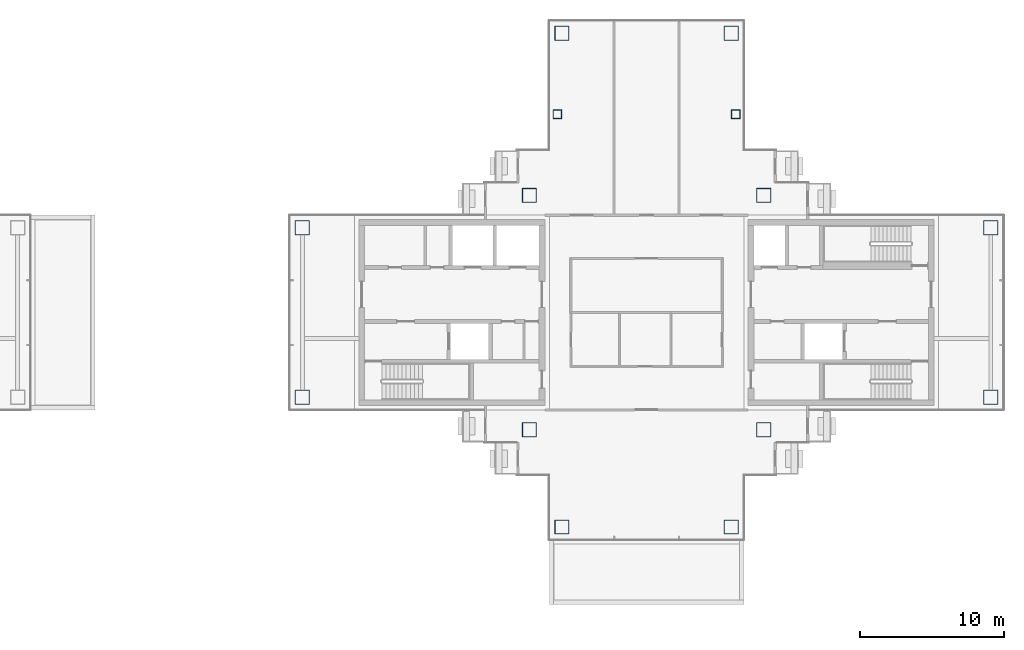
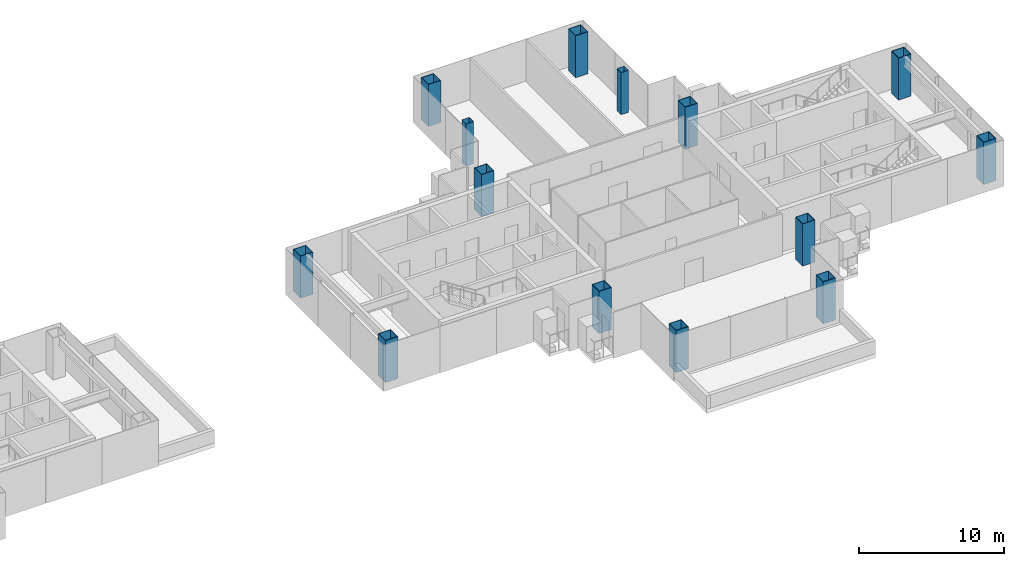
# One storey, part 2 of 16: 14 columns.
"""IFC4 building model written with IfcOpenShell, lengths in metres."""

from ifc_helpers import new_model, si_unit, direction, frame, origin, origin_2d, place, context, subcontext, project, spatial, hollow_rectangle, extrude, material, material_profile, profile_set, type_object, element, save


model = new_model("IFC4")

# Units and contexts
model_context = context("Model", 3, precision=1e-05, world=origin(), true_north=direction((0.0, 1.0)))
body_context = subcontext(model_context, "Body", "Model", "MODEL_VIEW")
ifc_project = project(units=[si_unit("LENGTHUNIT", "METRE"), si_unit("AREAUNIT", "SQUARE_METRE"), si_unit("VOLUMEUNIT", "CUBIC_METRE"), si_unit("PLANEANGLEUNIT", "RADIAN"), si_unit("MASSUNIT", "GRAM", prefix="KILO")], contexts=[model_context])

# Site, building, storey
site_placement = place(None, origin())
site = spatial("IfcSite", under=ifc_project, at=site_placement, CompositionType="ELEMENT")
building_placement = place(site_placement, origin())
building = spatial("IfcBuilding", under=site, at=building_placement, Name="Shamsa Quay Exchange Towers", CompositionType="ELEMENT")
storey_placement = place(building_placement, frame((0.0, 0.0, 182.699951171875)))
storey = spatial("IfcBuildingStorey", under=building, at=storey_placement, Name="L43", CompositionType="ELEMENT", Elevation=182.699951171875)

# Columns
ifc_material_1 = material(Name="Concrete-filled steel tube S355 / C80/95", Category="concrete")
ifc_material_profile_1 = material_profile(ifc_material_1, hollow_rectangle(XDim=1.0, YDim=1.0, WallThickness=0.0400390625, at=origin_2d()), Name="CFT 1000x1000x40")
ifc_profile_set_1 = profile_set([ifc_material_profile_1], Name="Concrete-filled steel tube S355 / C80/95")
column_type_1 = type_object("IfcColumnType", Name="Column CFT 1000x1000x40", PredefinedType="COLUMN", material=ifc_profile_set_1)
for number, where, name in (
    (1, (25.625, 8.125, 0.0), "Mega column T2-CM01"),
    (2, (41.875, 8.125, 0.0), "Mega column T2-CM02"),
    (3, (25.625, -8.125, 0.0), "Mega column T2-CM03"),
    (4, (41.875, -8.125, 0.0), "Mega column T2-CM04"),
    (5, (39.625, 19.375, 0.0), "Mega column T2-CM06"),
    (6, (27.875, 19.375, 0.0), "Mega column T2-CM10"),
    (7, (39.625, -14.875, 0.0), "Mega column T2-CM13"),
    (8, (27.875, -14.875, 0.0), "Mega column T2-CM16"),
    (9, (9.875, -5.875, 0.0), "Mega column T2-CM19"),
    (10, (9.875, 5.875, 0.0), "Mega column T2-CM20"),
    (11, (57.625, -5.875, 0.0), "Mega column T2-CM21"),
    (12, (57.625, 5.875, 0.0), "Mega column T2-CM23"),
):
    element("IfcColumn", number, at=place(storey_placement, frame(where)), inside=storey, type_object=column_type_1, Name=name, PredefinedType="COLUMN", context=body_context, shape_type="SweptSolid", body=[
        extrude(hollow_rectangle(XDim=1.0, YDim=1.0, WallThickness=0.0400390625, at=origin_2d()), origin(), (0.0, 0.0, 1.0), 3.550048828125),
    ])
ifc_material_2 = material(Name="Concrete-filled steel tube S355 / C60/75", Category="concrete")
ifc_material_profile_2 = material_profile(ifc_material_2, hollow_rectangle(XDim=0.60009765625, YDim=0.60009765625, WallThickness=0.02001953125, at=origin_2d()), Name="CFT 600x600x20")
ifc_profile_set_2 = profile_set([ifc_material_profile_2], Name="Concrete-filled steel tube S355 / C60/75")
column_type_2 = type_object("IfcColumnType", Name="Column CFT 600x600x20", PredefinedType="COLUMN", material=ifc_profile_set_2)
for number, where, name in (
    (13, (39.9375, 13.75, 0.0), "Perimeter column T2-CP05"),
    (14, (27.5625, 13.75, 0.0), "Perimeter column T2-CP09"),
):
    element("IfcColumn", number, at=place(storey_placement, frame(where)), inside=storey, type_object=column_type_2, Name=name, PredefinedType="COLUMN", context=body_context, shape_type="SweptSolid", body=[
        extrude(hollow_rectangle(XDim=0.60009765625, YDim=0.60009765625, WallThickness=0.02001953125, at=origin_2d()), origin(), (0.0, 0.0, 1.0), 3.550048828125),
    ])

save(model, "model.ifc")
